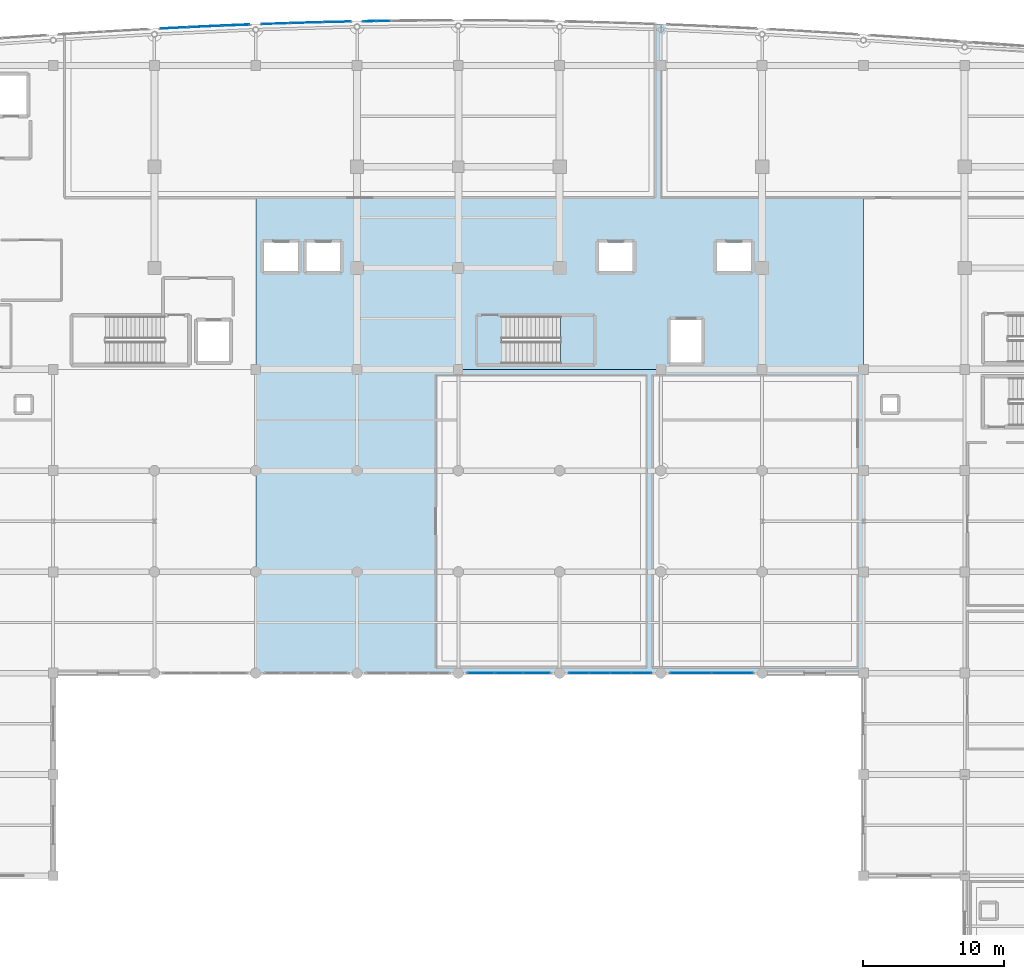
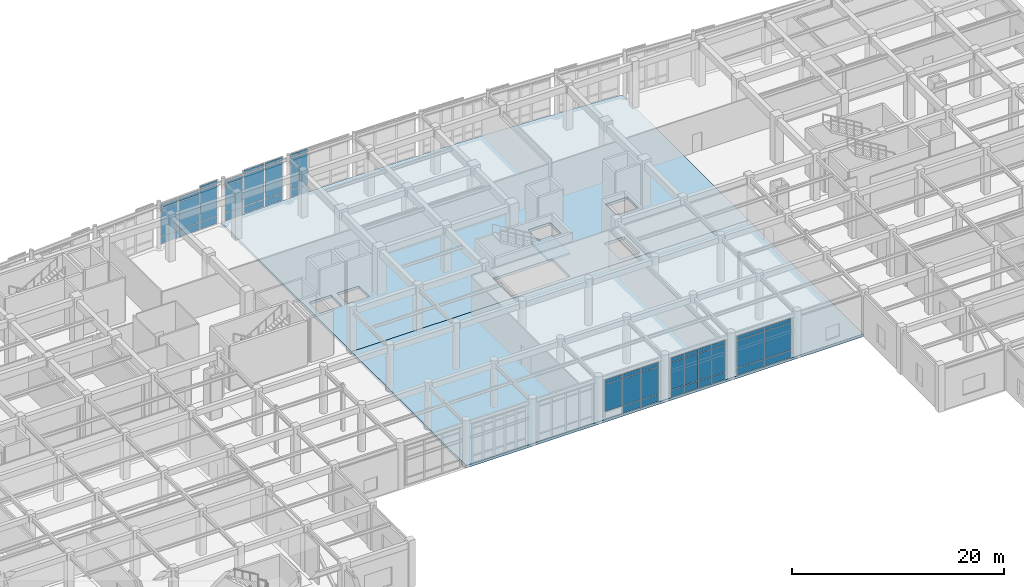
# One storey, part 65 of 102: 50 plates, 3 slabs, 11 elements without a shape of their own.
"""IFC4 building model written with IfcOpenShell, lengths in metres."""

from ifc_helpers import new_model, si_unit, direction, frame, origin, origin_2d, place, context, subcontext, project, spatial, polyline, rectangle, outline, extrude, material, layer, layer_set, type_object, element, aggregate, save


model = new_model("IFC4")

# Units and contexts
model_context = context("Model", 3, precision=1e-05, world=origin(), true_north=direction((0.0, 1.0)))
body_context = subcontext(model_context, "Body", "Model", "MODEL_VIEW")
ifc_project = project(units=[si_unit("LENGTHUNIT", "METRE"), si_unit("AREAUNIT", "SQUARE_METRE"), si_unit("VOLUMEUNIT", "CUBIC_METRE"), si_unit("PLANEANGLEUNIT", "RADIAN"), si_unit("MASSUNIT", "GRAM", prefix="KILO")], contexts=[model_context])

# Site, building, storey
site_placement = place(None, origin())
site = spatial("IfcSite", under=ifc_project, at=site_placement, CompositionType="ELEMENT")
building_placement = place(site_placement, origin())
building = spatial("IfcBuilding", under=site, at=building_placement, Name="Carrowvane Square Congress Hotel", CompositionType="ELEMENT")
storey_placement = place(building_placement, origin())
storey = spatial("IfcBuildingStorey", under=building, at=storey_placement, Name="L00", CompositionType="ELEMENT", Elevation=0.0)

# Curtain wall, plates
ifc_material_1 = material(Name="Anodised aluminium", Category="aluminium")
ifc_layer_1 = layer(ifc_material_1, 0.2099609375)
ifc_layer_set_1 = layer_set([ifc_layer_1], Name="Anodised aluminium")
curtain_wall_type_1 = type_object("IfcCurtainWallType", Name="CW-SYS-5", PredefinedType="NOTDEFINED", material=ifc_layer_set_1)
curtain_wall_1_placement = place(storey_placement, origin())
curtain_wall_1 = element("IfcCurtainWall", 1, at=curtain_wall_1_placement, inside=storey, type_object=curtain_wall_type_1, Name="L00 unitised curtain wall 20", PredefinedType="NOTDEFINED")
ifc_material_2 = material(Name="Double-glazed low-E glass", Category="glass")
ifc_layer_2 = layer(ifc_material_2, 0.028076171875)
ifc_layer_set_2 = layer_set([ifc_layer_2], Name="Double-glazed low-E glass")
plate_type_1 = type_object("IfcPlateType", Name="CW-PAN-1", PredefinedType="CURTAIN_PANEL", material=ifc_layer_set_2)
plate_1_placement = place(storey_placement, frame((84.9853515625, 116.371826171875, 0.06005859375), z_axis=(0.0, 0.0, 1.0), x_axis=(0.999403774749, 0.034526729036, 0.0)))
plate_1 = element("IfcPlate", 2, at=plate_1_placement, type_object=plate_type_1, Name="CW-5 panel 1.1", PredefinedType="CURTAIN_PANEL", context=body_context, shape_type="SweptSolid", body=[
    extrude(rectangle(XDim=1.91064453125, YDim=0.028076171875, at=origin_2d()), origin(), (0.0, 0.0, 1.0), 0.81005859375),
])
plate_2_placement = place(storey_placement, frame((84.9853515625, 116.371826171875, 0.929931640625), z_axis=(0.0, 0.0, 1.0), x_axis=(0.999403774749, 0.034526729036, 0.0)))
plate_2 = element("IfcPlate", 3, at=plate_2_placement, type_object=plate_type_1, Name="CW-5 panel 1.2", PredefinedType="CURTAIN_PANEL", context=body_context, shape_type="SweptSolid", body=[
    extrude(rectangle(XDim=1.91064453125, YDim=0.028076171875, at=origin_2d()), origin(), (0.0, 0.0, 1.0), 3.16552734375),
])
plate_3_placement = place(storey_placement, frame((84.9853515625, 116.371826171875, 4.155517578125), z_axis=(0.0, 0.0, 1.0), x_axis=(0.999403774749, 0.034526729036, 0.0)))
plate_3 = element("IfcPlate", 4, at=plate_3_placement, type_object=plate_type_1, Name="CW-5 panel 1.3", PredefinedType="CURTAIN_PANEL", context=body_context, shape_type="SweptSolid", body=[
    extrude(rectangle(XDim=1.91064453125, YDim=0.028076171875, at=origin_2d()), origin(), (0.0, 0.0, 1.0), 0.4599609375),
])
aggregate(curtain_wall_1, [plate_1, plate_2, plate_3])

ifc_material_3 = material(Name="Anodised aluminium", Category="aluminium")
ifc_layer_3 = layer(ifc_material_3, 0.221923828125)
ifc_layer_set_3 = layer_set([ifc_layer_3], Name="Anodised aluminium")
curtain_wall_type_2 = type_object("IfcCurtainWallType", Name="CW-SYS-6", PredefinedType="NOTDEFINED", material=ifc_layer_set_3)
curtain_wall_2_placement = place(storey_placement, origin())
curtain_wall_2 = element("IfcCurtainWall", 5, at=curtain_wall_2_placement, inside=storey, type_object=curtain_wall_type_2, Name="L00 unitised curtain wall 21", PredefinedType="NOTDEFINED")
ifc_material_4 = material(Name="Double-glazed low-E glass", Category="glass")
ifc_layer_4 = layer(ifc_material_4, 0.031982421875)
ifc_layer_set_4 = layer_set([ifc_layer_4], Name="Double-glazed low-E glass")
plate_type_2 = type_object("IfcPlateType", Name="CW-PAN-2", PredefinedType="CURTAIN_PANEL", material=ifc_layer_set_4)
plate_4_placement = place(storey_placement, frame((87.199951171875, 116.44140625, 0.070068359375), z_axis=(0.0, 0.0, 1.0), x_axis=(0.999589848065, 0.028638010501, 0.0)))
plate_4 = element("IfcPlate", 6, at=plate_4_placement, type_object=plate_type_2, Name="CW-6 panel 1.1", PredefinedType="CURTAIN_PANEL", context=body_context, shape_type="SweptSolid", body=[
    extrude(rectangle(XDim=2.260986328125, YDim=0.031982421875, at=origin_2d()), origin(), (0.0, 0.0, 1.0), 0.794921875),
])
plate_5_placement = place(storey_placement, frame((87.199951171875, 116.44140625, 0.93505859375), z_axis=(0.0, 0.0, 1.0), x_axis=(0.999589848065, 0.028638010501, 0.0)))
plate_5 = element("IfcPlate", 7, at=plate_5_placement, type_object=plate_type_2, Name="CW-6 panel 1.2", PredefinedType="CURTAIN_PANEL", context=body_context, shape_type="SweptSolid", body=[
    extrude(rectangle(XDim=2.260986328125, YDim=0.031982421875, at=origin_2d()), origin(), (0.0, 0.0, 1.0), 3.580078125),
])
plate_6_placement = place(storey_placement, frame((87.199951171875, 116.44140625, 4.5849609375), z_axis=(0.0, 0.0, 1.0), x_axis=(0.999589848065, 0.028638010501, 0.0)))
plate_6 = element("IfcPlate", 8, at=plate_6_placement, type_object=plate_type_2, Name="CW-6 panel 1.3", PredefinedType="CURTAIN_PANEL", context=body_context, shape_type="SweptSolid", body=[
    extrude(rectangle(XDim=2.260986328125, YDim=0.031982421875, at=origin_2d()), origin(), (0.0, 0.0, 1.0), 0.445068359375),
])
aggregate(curtain_wall_2, [plate_4, plate_5, plate_6])

ifc_material_5 = material(Name="Anodised aluminium", Category="aluminium")
ifc_layer_5 = layer(ifc_material_5, 0.197998046875)
ifc_layer_set_5 = layer_set([ifc_layer_5], Name="Anodised aluminium")
curtain_wall_type_3 = type_object("IfcCurtainWallType", Name="CW-SYS-4", PredefinedType="NOTDEFINED", material=ifc_layer_set_5)
curtain_wall_3_placement = place(storey_placement, origin())
curtain_wall_3 = element("IfcCurtainWall", 9, at=curtain_wall_3_placement, inside=storey, type_object=curtain_wall_type_3, Name="L00 unitised curtain wall 51", PredefinedType="NOTDEFINED")
plate_7_placement = place(storey_placement, frame((117.47509765625, 70.199951171875, 0.070068359375), z_axis=(0.0, 0.0, 1.0), x_axis=(-1.0, 0.0, 0.0)))
plate_7 = element("IfcPlate", 10, at=plate_7_placement, type_object=plate_type_2, Name="CW-4 panel 1.1", PredefinedType="CURTAIN_PANEL", context=body_context, shape_type="SweptSolid", body=[
    extrude(rectangle(XDim=2.8798828125, YDim=0.031982421875, at=origin_2d()), origin(), (0.0, 0.0, 1.0), 0.794921875),
])
plate_8_placement = place(storey_placement, frame((117.47509765625, 70.199951171875, 0.93505859375), z_axis=(0.0, 0.0, 1.0), x_axis=(-1.0, 0.0, 0.0)))
plate_8 = element("IfcPlate", 11, at=plate_8_placement, type_object=plate_type_2, Name="CW-4 panel 1.2", PredefinedType="CURTAIN_PANEL", context=body_context, shape_type="SweptSolid", body=[
    extrude(rectangle(XDim=2.8798828125, YDim=0.031982421875, at=origin_2d()), origin(), (0.0, 0.0, 1.0), 3.10498046875),
])
plate_9_placement = place(storey_placement, frame((117.47509765625, 70.199951171875, 4.10986328125), z_axis=(0.0, 0.0, 1.0), x_axis=(-1.0, 0.0, 0.0)))
plate_9 = element("IfcPlate", 12, at=plate_9_placement, type_object=plate_type_2, Name="CW-4 panel 1.3", PredefinedType="CURTAIN_PANEL", context=body_context, shape_type="SweptSolid", body=[
    extrude(rectangle(XDim=2.8798828125, YDim=0.031982421875, at=origin_2d()), origin(), (0.0, 0.0, 1.0), 0.445068359375),
])
plate_10_placement = place(storey_placement, frame((114.52490234375, 70.199951171875, 0.070068359375), z_axis=(0.0, 0.0, 1.0), x_axis=(-1.0, 0.0, 0.0)))
plate_10 = element("IfcPlate", 13, at=plate_10_placement, type_object=plate_type_2, Name="CW-4 panel 2.1", PredefinedType="CURTAIN_PANEL", context=body_context, shape_type="SweptSolid", body=[
    extrude(rectangle(XDim=2.8798828125, YDim=0.031982421875, at=origin_2d()), origin(), (0.0, 0.0, 1.0), 0.794921875),
])
plate_11_placement = place(storey_placement, frame((114.52490234375, 70.199951171875, 0.93505859375), z_axis=(0.0, 0.0, 1.0), x_axis=(-1.0, 0.0, 0.0)))
plate_11 = element("IfcPlate", 14, at=plate_11_placement, type_object=plate_type_2, Name="CW-4 panel 2.2", PredefinedType="CURTAIN_PANEL", context=body_context, shape_type="SweptSolid", body=[
    extrude(rectangle(XDim=2.8798828125, YDim=0.031982421875, at=origin_2d()), origin(), (0.0, 0.0, 1.0), 3.10498046875),
])
plate_12_placement = place(storey_placement, frame((114.52490234375, 70.199951171875, 4.10986328125), z_axis=(0.0, 0.0, 1.0), x_axis=(-1.0, 0.0, 0.0)))
plate_12 = element("IfcPlate", 15, at=plate_12_placement, type_object=plate_type_2, Name="CW-4 panel 2.3", PredefinedType="CURTAIN_PANEL", context=body_context, shape_type="SweptSolid", body=[
    extrude(rectangle(XDim=2.8798828125, YDim=0.031982421875, at=origin_2d()), origin(), (0.0, 0.0, 1.0), 0.445068359375),
])
aggregate(curtain_wall_3, [plate_7, plate_8, plate_9, plate_10, plate_11, plate_12])

ifc_material_6 = material(Name="Anodised aluminium", Category="aluminium")
ifc_layer_6 = layer(ifc_material_6, 0.174072265625)
ifc_layer_set_6 = layer_set([ifc_layer_6], Name="Anodised aluminium")
curtain_wall_type_4 = type_object("IfcCurtainWallType", Name="CW-SYS-2", PredefinedType="NOTDEFINED", material=ifc_layer_set_6)
curtain_wall_4_placement = place(storey_placement, origin())
curtain_wall_4 = element("IfcCurtainWall", 16, at=curtain_wall_4_placement, inside=storey, type_object=curtain_wall_type_4, Name="L00 unitised curtain wall 17", PredefinedType="NOTDEFINED")
ifc_material_7 = material(Name="Double-glazed low-E glass", Category="glass")
ifc_layer_7 = layer(ifc_material_7, 0.035888671875)
ifc_layer_set_7 = layer_set([ifc_layer_7], Name="Double-glazed low-E glass")
plate_type_3 = type_object("IfcPlateType", Name="CW-PAN-3", PredefinedType="CURTAIN_PANEL", material=ifc_layer_set_7)
plate_13_placement = place(storey_placement, frame((77.7822265625, 116.067138671875, 0.070068359375), z_axis=(0.0, 0.0, 1.0), x_axis=(0.998732955299, 0.050323791596, 0.0)))
plate_13 = element("IfcPlate", 17, at=plate_13_placement, type_object=plate_type_3, Name="CW-2 panel 1.1", PredefinedType="CURTAIN_PANEL", context=body_context, shape_type="SweptSolid", body=[
    extrude(rectangle(XDim=1.89794921875, YDim=0.035888671875, at=origin_2d()), origin(), (0.0, 0.0, 1.0), 0.794921875),
])
plate_14_placement = place(storey_placement, frame((77.7822265625, 116.067138671875, 0.93505859375), z_axis=(0.0, 0.0, 1.0), x_axis=(0.998732955299, 0.050323791596, 0.0)))
plate_14 = element("IfcPlate", 18, at=plate_14_placement, type_object=plate_type_3, Name="CW-2 panel 1.2", PredefinedType="CURTAIN_PANEL", context=body_context, shape_type="SweptSolid", body=[
    extrude(rectangle(XDim=1.89794921875, YDim=0.035888671875, at=origin_2d()), origin(), (0.0, 0.0, 1.0), 3.155517578125),
])
plate_15_placement = place(storey_placement, frame((77.7822265625, 116.067138671875, 4.16064453125), z_axis=(0.0, 0.0, 1.0), x_axis=(0.998732955299, 0.050323791596, 0.0)))
plate_15 = element("IfcPlate", 19, at=plate_15_placement, type_object=plate_type_3, Name="CW-2 panel 1.3", PredefinedType="CURTAIN_PANEL", context=body_context, shape_type="SweptSolid", body=[
    extrude(rectangle(XDim=1.89794921875, YDim=0.035888671875, at=origin_2d()), origin(), (0.0, 0.0, 1.0), 0.445068359375),
])
aggregate(curtain_wall_4, [plate_13, plate_14, plate_15])

ifc_material_8 = material(Name="Anodised aluminium", Category="aluminium")
ifc_layer_8 = layer(ifc_material_8, 0.23388671875)
ifc_layer_set_8 = layer_set([ifc_layer_8], Name="Anodised aluminium")
curtain_wall_type_5 = type_object("IfcCurtainWallType", Name="CW-SYS-7", PredefinedType="NOTDEFINED", material=ifc_layer_set_8)
curtain_wall_5_placement = place(storey_placement, origin())
curtain_wall_5 = element("IfcCurtainWall", 20, at=curtain_wall_5_placement, inside=storey, type_object=curtain_wall_type_5, Name="L00 unitised curtain wall 22", PredefinedType="NOTDEFINED")
plate_16_placement = place(storey_placement, frame((89.40380859375, 116.498291015625, 0.06005859375), z_axis=(0.0, 0.0, 1.0), x_axis=(0.99974644475, 0.022517686606, 0.0)))
plate_16 = element("IfcPlate", 21, at=plate_16_placement, type_object=plate_type_3, Name="CW-7 panel 1.1", PredefinedType="CURTAIN_PANEL", context=body_context, shape_type="SweptSolid", body=[
    extrude(rectangle(XDim=1.88818359375, YDim=0.035888671875, at=origin_2d()), origin(), (0.0, 0.0, 1.0), 0.81005859375),
])
plate_17_placement = place(storey_placement, frame((89.40380859375, 116.498291015625, 0.93017578125), z_axis=(0.0, 0.0, 1.0), x_axis=(0.99974644475, 0.022517686606, 0.0)))
plate_17 = element("IfcPlate", 22, at=plate_17_placement, type_object=plate_type_3, Name="CW-7 panel 1.2", PredefinedType="CURTAIN_PANEL", context=body_context, shape_type="SweptSolid", body=[
    extrude(rectangle(XDim=1.88818359375, YDim=0.035888671875, at=origin_2d()), origin(), (0.0, 0.0, 1.0), 3.590087890625),
])
plate_18_placement = place(storey_placement, frame((89.40380859375, 116.498291015625, 4.580078125), z_axis=(0.0, 0.0, 1.0), x_axis=(0.99974644475, 0.022517686606, 0.0)))
plate_18 = element("IfcPlate", 23, at=plate_18_placement, type_object=plate_type_3, Name="CW-7 panel 1.3", PredefinedType="CURTAIN_PANEL", context=body_context, shape_type="SweptSolid", body=[
    extrude(rectangle(XDim=1.88818359375, YDim=0.035888671875, at=origin_2d()), origin(), (0.0, 0.0, 1.0), 0.4599609375),
])
aggregate(curtain_wall_5, [plate_16, plate_17, plate_18])

curtain_wall_6_placement = place(storey_placement, origin())
curtain_wall_6 = element("IfcCurtainWall", 24, at=curtain_wall_6_placement, inside=storey, type_object=curtain_wall_type_1, Name="L00 unitised curtain wall 52", PredefinedType="NOTDEFINED")
plate_19_placement = place(storey_placement, frame((111.023681640625, 70.199951171875, 0.06005859375), z_axis=(0.0, 0.0, 1.0), x_axis=(-1.0, 0.0, 0.0)))
plate_19 = element("IfcPlate", 25, at=plate_19_placement, type_object=plate_type_3, Name="CW-5 panel 1.1", PredefinedType="CURTAIN_PANEL", context=body_context, shape_type="SweptSolid", body=[
    extrude(rectangle(XDim=1.402587890625, YDim=0.035888671875, at=origin_2d()), origin(), (0.0, 0.0, 1.0), 0.81005859375),
])
plate_20_placement = place(storey_placement, frame((111.023681640625, 70.199951171875, 0.93017578125), z_axis=(0.0, 0.0, 1.0), x_axis=(-1.0, 0.0, 0.0)))
plate_20 = element("IfcPlate", 26, at=plate_20_placement, type_object=plate_type_3, Name="CW-5 panel 1.2", PredefinedType="CURTAIN_PANEL", context=body_context, shape_type="SweptSolid", body=[
    extrude(rectangle(XDim=1.402587890625, YDim=0.035888671875, at=origin_2d()), origin(), (0.0, 0.0, 1.0), 3.114990234375),
])
plate_21_placement = place(storey_placement, frame((111.023681640625, 70.199951171875, 4.10498046875), z_axis=(0.0, 0.0, 1.0), x_axis=(-1.0, 0.0, 0.0)))
plate_21 = element("IfcPlate", 27, at=plate_21_placement, type_object=plate_type_3, Name="CW-5 panel 1.3", PredefinedType="CURTAIN_PANEL", context=body_context, shape_type="SweptSolid", body=[
    extrude(rectangle(XDim=1.402587890625, YDim=0.035888671875, at=origin_2d()), origin(), (0.0, 0.0, 1.0), 0.4599609375),
])
plate_22_placement = place(storey_placement, frame((109.546142578125, 70.199951171875, 0.06005859375), z_axis=(0.0, 0.0, 1.0), x_axis=(-1.0, 0.0, 0.0)))
plate_22 = element("IfcPlate", 28, at=plate_22_placement, type_object=plate_type_3, Name="CW-5 panel 2.1", PredefinedType="CURTAIN_PANEL", context=body_context, shape_type="SweptSolid", body=[
    extrude(rectangle(XDim=1.4326171875, YDim=0.035888671875, at=origin_2d()), origin(), (0.0, 0.0, 1.0), 0.81005859375),
])
plate_23_placement = place(storey_placement, frame((109.546142578125, 70.199951171875, 0.93017578125), z_axis=(0.0, 0.0, 1.0), x_axis=(-1.0, 0.0, 0.0)))
plate_23 = element("IfcPlate", 29, at=plate_23_placement, type_object=plate_type_3, Name="CW-5 panel 2.2", PredefinedType="CURTAIN_PANEL", context=body_context, shape_type="SweptSolid", body=[
    extrude(rectangle(XDim=1.4326171875, YDim=0.035888671875, at=origin_2d()), origin(), (0.0, 0.0, 1.0), 3.114990234375),
])
plate_24_placement = place(storey_placement, frame((109.546142578125, 70.199951171875, 4.10498046875), z_axis=(0.0, 0.0, 1.0), x_axis=(-1.0, 0.0, 0.0)))
plate_24 = element("IfcPlate", 30, at=plate_24_placement, type_object=plate_type_3, Name="CW-5 panel 2.3", PredefinedType="CURTAIN_PANEL", context=body_context, shape_type="SweptSolid", body=[
    extrude(rectangle(XDim=1.4326171875, YDim=0.035888671875, at=origin_2d()), origin(), (0.0, 0.0, 1.0), 0.4599609375),
])
plate_25_placement = place(storey_placement, frame((108.0537109375, 70.199951171875, 0.06005859375), z_axis=(0.0, 0.0, 1.0), x_axis=(-1.0, 0.0, 0.0)))
plate_25 = element("IfcPlate", 31, at=plate_25_placement, type_object=plate_type_3, Name="CW-5 panel 3.1", PredefinedType="CURTAIN_PANEL", context=body_context, shape_type="SweptSolid", body=[
    extrude(rectangle(XDim=1.4326171875, YDim=0.035888671875, at=origin_2d()), origin(), (0.0, 0.0, 1.0), 0.81005859375),
])
plate_26_placement = place(storey_placement, frame((108.0537109375, 70.199951171875, 0.93017578125), z_axis=(0.0, 0.0, 1.0), x_axis=(-1.0, 0.0, 0.0)))
plate_26 = element("IfcPlate", 32, at=plate_26_placement, type_object=plate_type_3, Name="CW-5 panel 3.2", PredefinedType="CURTAIN_PANEL", context=body_context, shape_type="SweptSolid", body=[
    extrude(rectangle(XDim=1.4326171875, YDim=0.035888671875, at=origin_2d()), origin(), (0.0, 0.0, 1.0), 3.114990234375),
])
plate_27_placement = place(storey_placement, frame((108.0537109375, 70.199951171875, 4.10498046875), z_axis=(0.0, 0.0, 1.0), x_axis=(-1.0, 0.0, 0.0)))
plate_27 = element("IfcPlate", 33, at=plate_27_placement, type_object=plate_type_3, Name="CW-5 panel 3.3", PredefinedType="CURTAIN_PANEL", context=body_context, shape_type="SweptSolid", body=[
    extrude(rectangle(XDim=1.4326171875, YDim=0.035888671875, at=origin_2d()), origin(), (0.0, 0.0, 1.0), 0.4599609375),
])
plate_28_placement = place(storey_placement, frame((106.576171875, 70.199951171875, 0.06005859375), z_axis=(0.0, 0.0, 1.0), x_axis=(-1.0, 0.0, 0.0)))
plate_28 = element("IfcPlate", 34, at=plate_28_placement, type_object=plate_type_3, Name="CW-5 panel 4.1", PredefinedType="CURTAIN_PANEL", context=body_context, shape_type="SweptSolid", body=[
    extrude(rectangle(XDim=1.402587890625, YDim=0.035888671875, at=origin_2d()), origin(), (0.0, 0.0, 1.0), 0.81005859375),
])
plate_29_placement = place(storey_placement, frame((106.576171875, 70.199951171875, 0.93017578125), z_axis=(0.0, 0.0, 1.0), x_axis=(-1.0, 0.0, 0.0)))
plate_29 = element("IfcPlate", 35, at=plate_29_placement, type_object=plate_type_3, Name="CW-5 panel 4.2", PredefinedType="CURTAIN_PANEL", context=body_context, shape_type="SweptSolid", body=[
    extrude(rectangle(XDim=1.402587890625, YDim=0.035888671875, at=origin_2d()), origin(), (0.0, 0.0, 1.0), 3.114990234375),
])
plate_30_placement = place(storey_placement, frame((106.576171875, 70.199951171875, 4.10498046875), z_axis=(0.0, 0.0, 1.0), x_axis=(-1.0, 0.0, 0.0)))
plate_30 = element("IfcPlate", 36, at=plate_30_placement, type_object=plate_type_3, Name="CW-5 panel 4.3", PredefinedType="CURTAIN_PANEL", context=body_context, shape_type="SweptSolid", body=[
    extrude(rectangle(XDim=1.402587890625, YDim=0.035888671875, at=origin_2d()), origin(), (0.0, 0.0, 1.0), 0.4599609375),
])
aggregate(curtain_wall_6, [plate_19, plate_20, plate_21, plate_22, plate_23, plate_24, plate_25, plate_26, plate_27, plate_28, plate_29, plate_30])

ifc_material_9 = material(Name="Anodised aluminium", Category="aluminium")
ifc_layer_9 = layer(ifc_material_9, 0.18603515625)
ifc_layer_set_9 = layer_set([ifc_layer_9], Name="Anodised aluminium")
curtain_wall_type_6 = type_object("IfcCurtainWallType", Name="CW-SYS-3", PredefinedType="NOTDEFINED", material=ifc_layer_set_9)
curtain_wall_7_placement = place(storey_placement, origin())
curtain_wall_7 = element("IfcCurtainWall", 37, at=curtain_wall_7_placement, inside=storey, type_object=curtain_wall_type_6, Name="L00 unitised curtain wall 18", PredefinedType="NOTDEFINED")
ifc_material_10 = material(Name="Double-glazed low-E glass", Category="glass")
ifc_layer_10 = layer(ifc_material_10, 0.0419921875)
ifc_layer_set_10 = layer_set([ifc_layer_10], Name="Double-glazed low-E glass")
plate_type_4 = type_object("IfcPlateType", Name="CW-PAN-4", PredefinedType="CURTAIN_PANEL", material=ifc_layer_set_10)
plate_31_placement = place(storey_placement, frame((80.0, 116.173095703125, 0.06005859375), z_axis=(0.0, 0.0, 1.0), x_axis=(0.998968385726, 0.045411059449, 0.0)))
plate_31 = element("IfcPlate", 38, at=plate_31_placement, type_object=plate_type_4, Name="CW-3 panel 1.1", PredefinedType="CURTAIN_PANEL", context=body_context, shape_type="SweptSolid", body=[
    extrude(rectangle(XDim=2.282470703125, YDim=0.0419921875, at=origin_2d()), origin(), (0.0, 0.0, 1.0), 0.81005859375),
])
plate_32_placement = place(storey_placement, frame((80.0, 116.173095703125, 0.929931640625), z_axis=(0.0, 0.0, 1.0), x_axis=(0.998968385726, 0.045411059449, 0.0)))
plate_32 = element("IfcPlate", 39, at=plate_32_placement, type_object=plate_type_4, Name="CW-3 panel 1.2", PredefinedType="CURTAIN_PANEL", context=body_context, shape_type="SweptSolid", body=[
    extrude(rectangle(XDim=2.282470703125, YDim=0.0419921875, at=origin_2d()), origin(), (0.0, 0.0, 1.0), 3.16552734375),
])
plate_33_placement = place(storey_placement, frame((80.0, 116.173095703125, 4.155517578125), z_axis=(0.0, 0.0, 1.0), x_axis=(0.998968385726, 0.045411059449, 0.0)))
plate_33 = element("IfcPlate", 40, at=plate_33_placement, type_object=plate_type_4, Name="CW-3 panel 1.3", PredefinedType="CURTAIN_PANEL", context=body_context, shape_type="SweptSolid", body=[
    extrude(rectangle(XDim=2.282470703125, YDim=0.0419921875, at=origin_2d()), origin(), (0.0, 0.0, 1.0), 0.4599609375),
])
aggregate(curtain_wall_7, [plate_31, plate_32, plate_33])

ifc_material_11 = material(Name="Anodised aluminium", Category="aluminium")
ifc_layer_11 = layer(ifc_material_11, 0.24609375)
ifc_layer_set_11 = layer_set([ifc_layer_11], Name="Anodised aluminium")
curtain_wall_type_7 = type_object("IfcCurtainWallType", Name="CW-SYS-8", PredefinedType="NOTDEFINED", material=ifc_layer_set_11)
curtain_wall_8_placement = place(storey_placement, origin())
curtain_wall_8 = element("IfcCurtainWall", 41, at=curtain_wall_8_placement, inside=storey, type_object=curtain_wall_type_7, Name="L00 unitised curtain wall 23", PredefinedType="NOTDEFINED")
plate_34_placement = place(storey_placement, frame((91.70068359375, 116.54443359375, 0.070068359375), z_axis=(0.0, 0.0, 1.0), x_axis=(0.99986851233, 0.016215981364, 0.0)))
plate_34 = element("IfcPlate", 42, at=plate_34_placement, type_object=plate_type_4, Name="CW-8 panel 1.1", PredefinedType="CURTAIN_PANEL", context=body_context, shape_type="SweptSolid", body=[
    extrude(rectangle(XDim=0.90625, YDim=0.0419921875, at=origin_2d()), origin(), (0.0, 0.0, 1.0), 0.794921875),
])
plate_35_placement = place(storey_placement, frame((91.70068359375, 116.54443359375, 0.93505859375), z_axis=(0.0, 0.0, 1.0), x_axis=(0.99986851233, 0.016215981364, 0.0)))
plate_35 = element("IfcPlate", 43, at=plate_35_placement, type_object=plate_type_4, Name="CW-8 panel 1.2", PredefinedType="CURTAIN_PANEL", context=body_context, shape_type="SweptSolid", body=[
    extrude(rectangle(XDim=0.90625, YDim=0.0419921875, at=origin_2d()), origin(), (0.0, 0.0, 1.0), 3.580078125),
])
plate_36_placement = place(storey_placement, frame((91.70068359375, 116.54443359375, 4.5849609375), z_axis=(0.0, 0.0, 1.0), x_axis=(0.99986851233, 0.016215981364, 0.0)))
plate_36 = element("IfcPlate", 44, at=plate_36_placement, type_object=plate_type_4, Name="CW-8 panel 1.3", PredefinedType="CURTAIN_PANEL", context=body_context, shape_type="SweptSolid", body=[
    extrude(rectangle(XDim=0.90625, YDim=0.0419921875, at=origin_2d()), origin(), (0.0, 0.0, 1.0), 0.445068359375),
])
plate_37_placement = place(storey_placement, frame((92.6767578125, 116.560302734375, 0.070068359375), z_axis=(0.0, 0.0, 1.0), x_axis=(0.99986851233, 0.016215981364, 0.0)))
plate_37 = element("IfcPlate", 45, at=plate_37_placement, type_object=plate_type_4, Name="CW-8 panel 2.1", PredefinedType="CURTAIN_PANEL", context=body_context, shape_type="SweptSolid", body=[
    extrude(rectangle(XDim=0.90625, YDim=0.0419921875, at=origin_2d()), origin(), (0.0, 0.0, 1.0), 0.794921875),
])
plate_38_placement = place(storey_placement, frame((92.6767578125, 116.560302734375, 0.93505859375), z_axis=(0.0, 0.0, 1.0), x_axis=(0.99986851233, 0.016215981364, 0.0)))
plate_38 = element("IfcPlate", 46, at=plate_38_placement, type_object=plate_type_4, Name="CW-8 panel 2.2", PredefinedType="CURTAIN_PANEL", context=body_context, shape_type="SweptSolid", body=[
    extrude(rectangle(XDim=0.90625, YDim=0.0419921875, at=origin_2d()), origin(), (0.0, 0.0, 1.0), 3.580078125),
])
plate_39_placement = place(storey_placement, frame((92.6767578125, 116.560302734375, 4.5849609375), z_axis=(0.0, 0.0, 1.0), x_axis=(0.99986851233, 0.016215981364, 0.0)))
plate_39 = element("IfcPlate", 47, at=plate_39_placement, type_object=plate_type_4, Name="CW-8 panel 2.3", PredefinedType="CURTAIN_PANEL", context=body_context, shape_type="SweptSolid", body=[
    extrude(rectangle(XDim=0.90625, YDim=0.0419921875, at=origin_2d()), origin(), (0.0, 0.0, 1.0), 0.445068359375),
])
aggregate(curtain_wall_8, [plate_34, plate_35, plate_36, plate_37, plate_38, plate_39])

curtain_wall_9_placement = place(storey_placement, origin())
curtain_wall_9 = element("IfcCurtainWall", 48, at=curtain_wall_9_placement, inside=storey, type_object=curtain_wall_type_2, Name="L00 unitised curtain wall 53", PredefinedType="NOTDEFINED")
plate_40_placement = place(storey_placement, frame((103.572509765625, 70.199951171875, 0.070068359375), z_axis=(0.0, 0.0, 1.0), x_axis=(-1.0, 0.0, 0.0)))
plate_40 = element("IfcPlate", 49, at=plate_40_placement, type_object=plate_type_4, Name="CW-6 panel 1.1", PredefinedType="CURTAIN_PANEL", context=body_context, shape_type="SweptSolid", body=[
    extrude(rectangle(XDim=1.885009765625, YDim=0.0419921875, at=origin_2d()), origin(), (0.0, 0.0, 1.0), 0.794921875),
])
plate_41_placement = place(storey_placement, frame((103.572509765625, 70.199951171875, 0.93505859375), z_axis=(0.0, 0.0, 1.0), x_axis=(-1.0, 0.0, 0.0)))
plate_41 = element("IfcPlate", 50, at=plate_41_placement, type_object=plate_type_4, Name="CW-6 panel 1.2", PredefinedType="CURTAIN_PANEL", context=body_context, shape_type="SweptSolid", body=[
    extrude(rectangle(XDim=1.885009765625, YDim=0.0419921875, at=origin_2d()), origin(), (0.0, 0.0, 1.0), 3.10498046875),
])
plate_42_placement = place(storey_placement, frame((103.572509765625, 70.199951171875, 4.10986328125), z_axis=(0.0, 0.0, 1.0), x_axis=(-1.0, 0.0, 0.0)))
plate_42 = element("IfcPlate", 51, at=plate_42_placement, type_object=plate_type_4, Name="CW-6 panel 1.3", PredefinedType="CURTAIN_PANEL", context=body_context, shape_type="SweptSolid", body=[
    extrude(rectangle(XDim=1.885009765625, YDim=0.0419921875, at=origin_2d()), origin(), (0.0, 0.0, 1.0), 0.445068359375),
])
plate_43_placement = place(storey_placement, frame((101.60009765625, 70.199951171875, 0.070068359375), z_axis=(0.0, 0.0, 1.0), x_axis=(-1.0, 0.0, 0.0)))
plate_43 = element("IfcPlate", 52, at=plate_43_placement, type_object=plate_type_4, Name="CW-6 panel 2.1", PredefinedType="CURTAIN_PANEL", context=body_context, shape_type="SweptSolid", body=[
    extrude(rectangle(XDim=1.919921875, YDim=0.0419921875, at=origin_2d()), origin(), (0.0, 0.0, 1.0), 0.794921875),
])
plate_44_placement = place(storey_placement, frame((101.60009765625, 70.199951171875, 0.93505859375), z_axis=(0.0, 0.0, 1.0), x_axis=(-1.0, 0.0, 0.0)))
plate_44 = element("IfcPlate", 53, at=plate_44_placement, type_object=plate_type_4, Name="CW-6 panel 2.2", PredefinedType="CURTAIN_PANEL", context=body_context, shape_type="SweptSolid", body=[
    extrude(rectangle(XDim=1.919921875, YDim=0.0419921875, at=origin_2d()), origin(), (0.0, 0.0, 1.0), 3.10498046875),
])
plate_45_placement = place(storey_placement, frame((101.60009765625, 70.199951171875, 4.10986328125), z_axis=(0.0, 0.0, 1.0), x_axis=(-1.0, 0.0, 0.0)))
plate_45 = element("IfcPlate", 54, at=plate_45_placement, type_object=plate_type_4, Name="CW-6 panel 2.3", PredefinedType="CURTAIN_PANEL", context=body_context, shape_type="SweptSolid", body=[
    extrude(rectangle(XDim=1.919921875, YDim=0.0419921875, at=origin_2d()), origin(), (0.0, 0.0, 1.0), 0.445068359375),
])
plate_46_placement = place(storey_placement, frame((99.62744140625, 70.199951171875, 0.93505859375), z_axis=(0.0, 0.0, 1.0), x_axis=(-1.0, 0.0, 0.0)))
plate_46 = element("IfcPlate", 55, at=plate_46_placement, type_object=plate_type_4, Name="CW-6 panel 3.2", PredefinedType="CURTAIN_PANEL", context=body_context, shape_type="SweptSolid", body=[
    extrude(rectangle(XDim=1.885009765625, YDim=0.0419921875, at=origin_2d()), origin(), (0.0, 0.0, 1.0), 3.10498046875),
])
plate_47_placement = place(storey_placement, frame((99.62744140625, 70.199951171875, 4.10986328125), z_axis=(0.0, 0.0, 1.0), x_axis=(-1.0, 0.0, 0.0)))
plate_47 = element("IfcPlate", 56, at=plate_47_placement, type_object=plate_type_4, Name="CW-6 panel 3.3", PredefinedType="CURTAIN_PANEL", context=body_context, shape_type="SweptSolid", body=[
    extrude(rectangle(XDim=1.885009765625, YDim=0.0419921875, at=origin_2d()), origin(), (0.0, 0.0, 1.0), 0.445068359375),
])
aggregate(curtain_wall_9, [plate_40, plate_41, plate_42, plate_43, plate_44, plate_45, plate_46, plate_47])

curtain_wall_10_placement = place(storey_placement, origin())
curtain_wall_10 = element("IfcCurtainWall", 57, at=curtain_wall_10_placement, inside=storey, type_object=curtain_wall_type_3, Name="L00 unitised curtain wall 19", PredefinedType="NOTDEFINED")
ifc_material_12 = material(Name="Double-glazed low-E glass", Category="glass")
ifc_layer_12 = layer(ifc_material_12, 0.048095703125)
ifc_layer_set_12 = layer_set([ifc_layer_12], Name="Double-glazed low-E glass")
plate_type_5 = type_object("IfcPlateType", Name="CW-PAN-5", PredefinedType="CURTAIN_PANEL", material=ifc_layer_set_12)
plate_48_placement = place(storey_placement, frame((82.200439453125, 116.267822265625, 0.070068359375), z_axis=(0.0, 0.0, 1.0), x_axis=(0.999194236464, 0.040135742379, 0.0)))
plate_48 = element("IfcPlate", 58, at=plate_48_placement, type_object=plate_type_5, Name="CW-4 panel 1.1", PredefinedType="CURTAIN_PANEL", context=body_context, shape_type="SweptSolid", body=[
    extrude(rectangle(XDim=1.86279296875, YDim=0.048095703125, at=origin_2d()), origin(), (0.0, 0.0, 1.0), 0.794921875),
])
plate_49_placement = place(storey_placement, frame((82.200439453125, 116.267822265625, 0.93505859375), z_axis=(0.0, 0.0, 1.0), x_axis=(0.999194236464, 0.040135742379, 0.0)))
plate_49 = element("IfcPlate", 59, at=plate_49_placement, type_object=plate_type_5, Name="CW-4 panel 1.2", PredefinedType="CURTAIN_PANEL", context=body_context, shape_type="SweptSolid", body=[
    extrude(rectangle(XDim=1.86279296875, YDim=0.048095703125, at=origin_2d()), origin(), (0.0, 0.0, 1.0), 3.580078125),
])
plate_50_placement = place(storey_placement, frame((82.200439453125, 116.267822265625, 4.5849609375), z_axis=(0.0, 0.0, 1.0), x_axis=(0.999194236464, 0.040135742379, 0.0)))
plate_50 = element("IfcPlate", 60, at=plate_50_placement, type_object=plate_type_5, Name="CW-4 panel 1.3", PredefinedType="CURTAIN_PANEL", context=body_context, shape_type="SweptSolid", body=[
    extrude(rectangle(XDim=1.86279296875, YDim=0.048095703125, at=origin_2d()), origin(), (0.0, 0.0, 1.0), 0.445068359375),
])
aggregate(curtain_wall_10, [plate_48, plate_49, plate_50])

# Slabs
ifc_material_13 = material(Name="Concrete C35/45", Category="concrete")
ifc_layer_13 = layer(ifc_material_13, 0.300048828125)
ifc_layer_set_13 = layer_set([ifc_layer_13], Name="Concrete C35/45")
slab_type_1 = type_object("IfcSlabType", Name="SLB-FLR-300", PredefinedType="FLOOR", material=ifc_layer_set_13)
slab_1_placement = place(storey_placement, frame((0.0, 0.0, -0.300048828125)))
element("IfcSlab", 61, at=slab_1_placement, inside=storey, type_object=slab_type_1, Name="L00 V6 structural slab panel 2", PredefinedType="FLOOR", context=body_context, shape_type="SweptSolid", body=[
    extrude(outline(polyline([(83.60009765625, 70.199951171875), (126.800048828125, 70.199951171875), (126.800048828125, 91.800048828125), (83.60009765625, 91.800048828125), (83.60009765625, 70.199951171875)])), origin(), (0.0, 0.0, 1.0), 0.300048828125),
])
slab_2_placement = place(storey_placement, frame((0.0, 0.0, -0.300048828125)))
element("IfcSlab", 62, at=slab_2_placement, inside=storey, type_object=slab_type_1, Name="L00 Hotel Wing slab panel 2", PredefinedType="FLOOR", context=body_context, shape_type="SweptSolid", body=[
    extrude(outline(polyline([(83.60009765625, 91.800048828125), (126.800048828125, 91.800048828125), (126.800048828125, 115.57421875), (124.39990234375, 115.724365234375), (122.0, 115.86572265625), (119.60009765625, 115.99755859375), (117.199951171875, 116.118408203125), (114.800048828125, 116.2275390625), (112.39990234375, 116.323974609375), (110.0, 116.406982421875), (107.60009765625, 116.4755859375), (105.199951171875, 116.52978515625), (102.800048828125, 116.568603515625), (100.39990234375, 116.592041015625), (98.0, 116.60009765625), (95.60009765625, 116.592041015625), (93.199951171875, 116.568603515625), (90.800048828125, 116.52978515625), (88.39990234375, 116.4755859375), (86.0, 116.406982421875), (83.60009765625, 116.323974609375), (83.60009765625, 91.800048828125)]), holes=[polyline([(101.1201171875, 92.199951171875), (107.60009765625, 92.199951171875), (107.60009765625, 95.56005859375), (101.1201171875, 95.56005859375), (101.1201171875, 92.199951171875)]), polyline([(84.199951171875, 98.800048828125), (86.60009765625, 98.800048828125), (86.60009765625, 100.800048828125), (84.199951171875, 100.800048828125), (84.199951171875, 98.800048828125)]), polyline([(87.199951171875, 98.800048828125), (89.60009765625, 98.800048828125), (89.60009765625, 100.800048828125), (87.199951171875, 100.800048828125), (87.199951171875, 98.800048828125)]), polyline([(108.0, 98.800048828125), (110.39990234375, 98.800048828125), (110.39990234375, 100.800048828125), (108.0, 100.800048828125), (108.0, 98.800048828125)]), polyline([(116.39990234375, 98.800048828125), (118.800048828125, 98.800048828125), (118.800048828125, 100.800048828125), (116.39990234375, 100.800048828125), (116.39990234375, 98.800048828125)]), polyline([(113.10009765625, 92.300048828125), (115.300048828125, 92.300048828125), (115.300048828125, 95.300048828125), (113.10009765625, 95.300048828125), (113.10009765625, 92.300048828125)])]), origin(), (0.0, 0.0, 1.0), 0.300048828125),
])

# Stair, slab
ifc_material_14 = material(Name="Concrete C35/45", Category="concrete")
stair_type = type_object("IfcStairType", Name="STR-DOG-02", PredefinedType="HALF_TURN_STAIR", material=ifc_material_14)
stair_placement = place(storey_placement, origin())
stair = element("IfcStair", 63, at=stair_placement, inside=storey, type_object=stair_type, Name="L00 Core C3 East Hotel Escape Stair", PredefinedType="HALF_TURN_STAIR")
ifc_material_15 = material(Name="Concrete C35/45", Category="concrete")
ifc_layer_14 = layer(ifc_material_15, 0.199951171875)
ifc_layer_set_14 = layer_set([ifc_layer_14], Name="Concrete C35/45")
slab_type_2 = type_object("IfcSlabType", Name="SLB-LND-200", PredefinedType="LANDING", material=ifc_layer_set_14)
slab_3_placement = place(storey_placement, frame((0.0, 0.0, 2.5)))
slab_3 = element("IfcSlab", 64, at=slab_3_placement, type_object=slab_type_2, Name="ST3 landing 1", PredefinedType="LANDING", context=body_context, shape_type="SweptSolid", body=[
    extrude(outline(polyline([(105.280029296875, 92.199951171875), (107.60009765625, 92.199951171875), (107.60009765625, 95.56005859375), (105.280029296875, 95.56005859375), (105.280029296875, 92.199951171875)])), origin(), (0.0, 0.0, 1.0), 0.199951171875),
])
aggregate(stair, [slab_3])

save(model, "model.ifc")
